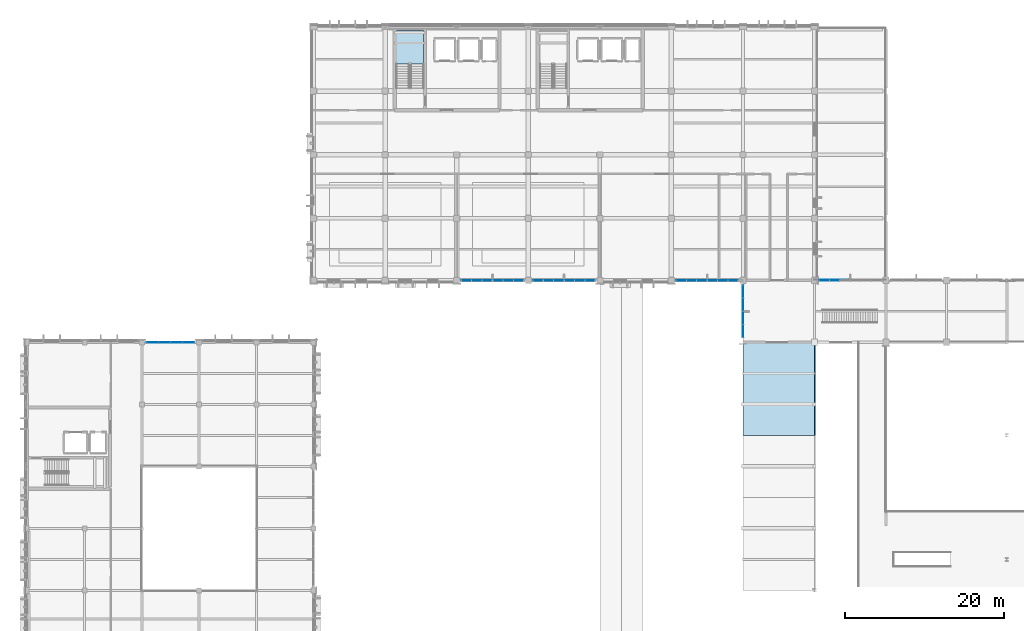
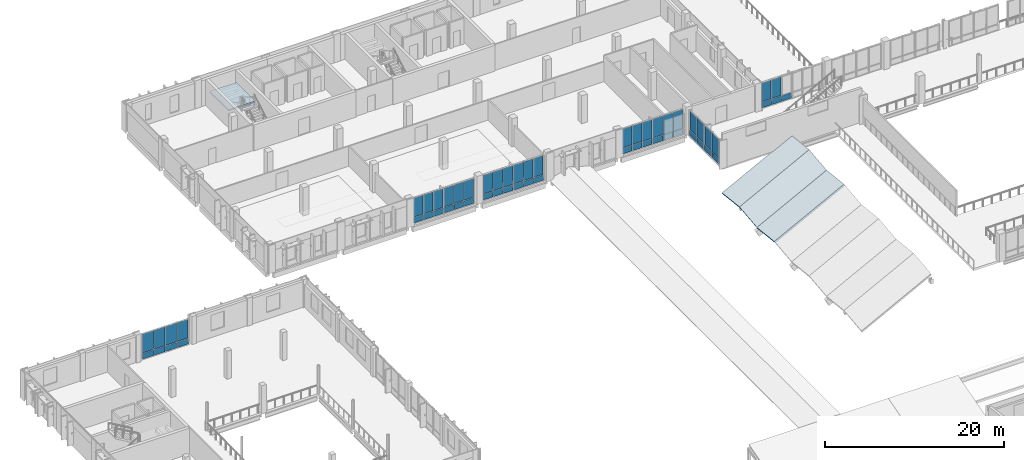
# One storey, part 31 of 64: 57 plates, 4 slabs, 11 elements without a shape of their own.
"""IFC4 building model written with IfcOpenShell, lengths in metres."""

import ifcopenshell
import ifcopenshell.guid

model = None  # the IFC model being written
_history = None  # IfcOwnerHistory: only IFC2X3 demands one
_inside = {}  # id of a spatial element -> (the spatial element, [elements in it])
_under = {}  # id of a project, library or spatial element -> (it, [spatial elements below it])
_declared = {}  # id of a project -> (the project, [libraries it declares])
_typed = {}  # id of a type object -> (the type object, [elements of that type])
_made_of = {}  # id of a material, layer set ... -> (it, [elements and type objects made of it])


def new_model(schema):
    """Start an empty IFC model of exactly this schema.

    Asked for "IFC4X3", IfcOpenShell would pick the latest addendum, in which some entities
    have other attributes; the version numbers below select the first issue.
    IFC2X3 requires an IfcOwnerHistory on every rooted entity: one is made here for all.
    """
    global model, _history
    if schema == "IFC4X3":
        model = ifcopenshell.file(schema_version=(4, 3, 0, 0))
    else:
        model = ifcopenshell.file(schema=schema)
    _inside.clear()
    _under.clear()
    _declared.clear()
    _typed.clear()
    _made_of.clear()
    _history = None
    if model.schema == "IFC2X3":
        org = make("IfcOrganization", Name="unknown")
        user = make(
            "IfcPersonAndOrganization",
            ThePerson=make("IfcPerson", FamilyName="unknown"),
            TheOrganization=org,
        )
        app = make(
            "IfcApplication",
            ApplicationDeveloper=org,
            Version="unknown",
            ApplicationFullName="unknown",
            ApplicationIdentifier="unknown",
        )
        _history = make(
            "IfcOwnerHistory",
            OwningUser=user,
            OwningApplication=app,
            ChangeAction="ADDED",
            CreationDate=0,
        )
    return model


def make(cls, **values):
    """One entity of the class cls with the attributes given. An attribute that is None is left unset."""
    return model.create_entity(
        cls, **{name: value for name, value in values.items() if value is not None}
    )


def rooted(cls, **values):
    """An entity with a GlobalId (a new one), such as an element, a storey or a relation."""
    return make(cls, GlobalId=ifcopenshell.guid.new(), OwnerHistory=_history, **values)


def si_unit(unit_type, name, prefix=None):
    """IfcSIUnit, for example si_unit("LENGTHUNIT", "METRE", prefix="MILLI")."""
    return make("IfcSIUnit", UnitType=unit_type, Prefix=prefix, Name=name)


def assignment(units):
    """IfcUnitAssignment: the units of a project."""
    return None if units is None else make("IfcUnitAssignment", Units=units)


def point(xyz):
    """IfcCartesianPoint."""
    return None if xyz is None else make("IfcCartesianPoint", Coordinates=xyz)


def direction(xyz):
    """IfcDirection."""
    return None if xyz is None else make("IfcDirection", DirectionRatios=xyz)


def frame(location, z_axis=None, x_axis=None):
    """IfcAxis2Placement3D, a coordinate frame: its origin and axes. An axis left out is left unset."""
    return make(
        "IfcAxis2Placement3D",
        Location=point(location),
        Axis=direction(z_axis),
        RefDirection=direction(x_axis),
    )


def frame_2d(location, x_axis=None):
    """IfcAxis2Placement2D, a coordinate frame in the plane: its origin and x axis."""
    return make(
        "IfcAxis2Placement2D", Location=point(location), RefDirection=direction(x_axis)
    )


def origin():
    """The frame at (0, 0, 0) with its axes left unset."""
    return frame((0.0, 0.0, 0.0))


def origin_2d():
    """The frame at (0, 0) in the plane with its x axis left unset."""
    return frame_2d((0.0, 0.0))


def place(relative_to, where):
    """IfcLocalPlacement: puts the frame where relative to a parent placement (None: the world)."""
    return make(
        "IfcLocalPlacement", PlacementRelTo=relative_to, RelativePlacement=where
    )


def context(
    kind, dimensions, precision=None, world=None, true_north=None, identifier=None
):
    """IfcGeometricRepresentationContext, for example the 3D "Model" context."""
    return make(
        "IfcGeometricRepresentationContext",
        ContextIdentifier=identifier,
        ContextType=kind,
        CoordinateSpaceDimension=dimensions,
        Precision=precision,
        WorldCoordinateSystem=world,
        TrueNorth=true_north,
    )


def subcontext(parent, identifier, kind, view, scale=None):
    """IfcGeometricRepresentationSubContext, for example "Body" below "Model"."""
    return make(
        "IfcGeometricRepresentationSubContext",
        ContextIdentifier=identifier,
        ContextType=kind,
        ParentContext=parent,
        TargetScale=scale,
        TargetView=view,
    )


def project(units=None, contexts=None):
    """IfcProject with its units and contexts."""
    return rooted(
        "IfcProject",
        Name="project",
        RepresentationContexts=contexts,
        UnitsInContext=assignment(units),
    )


def spatial(cls, under=None, at=None, **own):
    """A site, building, storey or space (cls), placed at a placement, below another one or the project."""
    s = rooted(cls, ObjectPlacement=at, **own)
    if under is not None:
        _under.setdefault(under.id(), (under, []))[1].append(s)
    return s


def polyline(points):
    """IfcPolyline through the points."""
    return make("IfcPolyline", Points=[point(p) for p in points])


def profile(cls, at=None, kind="AREA", **sizes):
    """A parametric profile (cls). Its sizes go by their IFC names, for example OverallWidth=200.0."""
    return make(cls, ProfileType=kind, Position=at, **sizes)


def rectangle(**sizes):
    """IfcRectangleProfileDef."""
    return profile("IfcRectangleProfileDef", **sizes)


def outline(outer, holes=None, kind="AREA"):
    """IfcArbitraryClosedProfileDef: a profile drawn as a closed curve; with holes, ...WithVoids."""
    if holes is None:
        return make("IfcArbitraryClosedProfileDef", ProfileType=kind, OuterCurve=outer)
    return make(
        "IfcArbitraryProfileDefWithVoids",
        ProfileType=kind,
        OuterCurve=outer,
        InnerCurves=holes,
    )


def extrude(swept, where, along, depth):
    """IfcExtrudedAreaSolid: the profile swept, set in the frame where, extruded along a direction by depth."""
    return make(
        "IfcExtrudedAreaSolid",
        SweptArea=swept,
        Position=where,
        ExtrudedDirection=direction(along),
        Depth=depth,
    )


def shape(context_of_items, identifier, shape_type, items):
    """IfcShapeRepresentation: the items that make up one representation, for example the "Body"."""
    return make(
        "IfcShapeRepresentation",
        ContextOfItems=context_of_items,
        RepresentationIdentifier=identifier,
        RepresentationType=shape_type,
        Items=items,
    )


def material(Name=None, Category=None):
    """IfcMaterial."""
    return make("IfcMaterial", Name=Name, Category=Category)


def layer(
    of_material, thickness, ventilated=None, Name=None, Category=None, Priority=None
):
    """IfcMaterialLayer: one layer of a wall or slab, of a material (None: an air gap)."""
    return make(
        "IfcMaterialLayer",
        Material=of_material,
        LayerThickness=thickness,
        IsVentilated=ventilated,
        Name=Name,
        Category=Category,
        Priority=Priority,
    )


def layer_set(layers, Name=None):
    """IfcMaterialLayerSet."""
    return make("IfcMaterialLayerSet", MaterialLayers=layers, LayerSetName=Name)


def made_of(thing, what):
    """Note that an element or type object is made of a material, layer set ...; save() writes the relation."""
    if what is not None:
        _made_of.setdefault(what.id(), (what, []))[1].append(thing)
    return thing


def type_object(cls, material=None, **own):
    """A type object (cls), such as IfcWallType, which elements share."""
    return made_of(rooted(cls, **own), material)


def element(
    cls,
    number,
    at=None,
    inside=None,
    cuts=None,
    type_object=None,
    material=None,
    context=None,
    identifier="Body",
    shape_type=None,
    held_by="IfcProductDefinitionShape",
    body=None,
    shapes=None,
    **own,
):
    """One element of the class cls, such as IfcWall. Its Tag is "e" and its number.

    at: its placement. inside: the storey or other place that contains it. cuts: it is an
    opening in that element (IfcRelVoidsElement). A single representation is given by context,
    identifier, shape_type and body (its items); several are given by shapes. held_by: the class
    of the entity that holds the representations. save() writes the other relations.
    """
    e = rooted(cls, Tag="e%d" % number, ObjectPlacement=at, **own)
    if body is not None:
        shapes = [shape(context, identifier, shape_type, body)]
    if shapes is not None:
        e.Representation = make(held_by, Representations=shapes)
    if inside is not None:
        _inside.setdefault(inside.id(), (inside, []))[1].append(e)
    if cuts is not None:
        rooted(
            "IfcRelVoidsElement", RelatingBuildingElement=cuts, RelatedOpeningElement=e
        )
    if type_object is not None:
        _typed.setdefault(type_object.id(), (type_object, []))[1].append(e)
    return made_of(e, material)


def aggregate(whole, parts):
    """IfcRelAggregates: a whole, such as a stair, and the parts it consists of."""
    return rooted("IfcRelAggregates", RelatingObject=whole, RelatedObjects=parts)


def save(model, path):
    """Write the relations noted so far, then the file.

    IfcRelAggregates (storeys below a building ...), IfcRelContainedInSpatialStructure (elements
    in a storey), IfcRelDefinesByType, IfcRelAssociatesMaterial and IfcRelDeclares: one each for
    every whole, place, type object, material and project.
    """
    for whole, parts in _under.values():
        aggregate(whole, parts)
    for where, things in _inside.values():
        rooted(
            "IfcRelContainedInSpatialStructure",
            RelatedElements=things,
            RelatingStructure=where,
        )
    for kind, things in _typed.values():
        rooted("IfcRelDefinesByType", RelatedObjects=things, RelatingType=kind)
    for what, things in _made_of.values():
        rooted("IfcRelAssociatesMaterial", RelatedObjects=things, RelatingMaterial=what)
    for by, libraries in _declared.values():
        rooted("IfcRelDeclares", RelatingContext=by, RelatedDefinitions=libraries)
    model.write(path)


model = new_model("IFC4")

# Units and contexts
model_context = context("Model", 3, precision=1e-05, world=origin(), true_north=direction((0.0, 1.0)))
body_context = subcontext(model_context, "Body", "Model", "MODEL_VIEW")
ifc_project = project(units=[si_unit("LENGTHUNIT", "METRE"), si_unit("AREAUNIT", "SQUARE_METRE"), si_unit("VOLUMEUNIT", "CUBIC_METRE"), si_unit("PLANEANGLEUNIT", "RADIAN"), si_unit("MASSUNIT", "GRAM", prefix="KILO")], contexts=[model_context])

# Site, building, storey
site_placement = place(None, origin())
site = spatial("IfcSite", under=ifc_project, at=site_placement, CompositionType="ELEMENT")
building_placement = place(site_placement, origin())
building = spatial("IfcBuilding", under=site, at=building_placement, Name="Vervanel Yard Central Library", CompositionType="ELEMENT")
storey_placement = place(building_placement, frame((0.0, 0.0, 8.93994140625)))
storey = spatial("IfcBuildingStorey", under=building, at=storey_placement, Name="L02", CompositionType="ELEMENT", Elevation=8.93994140625)

# Stair, slab
ifc_material_1 = material(Name="Concrete C40/50", Category="concrete")
stair_type = type_object("IfcStairType", Name="Protected Core Dog-Leg Stair ST-01", PredefinedType="HALF_TURN_STAIR", material=ifc_material_1)
stair_placement = place(storey_placement, origin())
stair = element("IfcStair", 1, at=stair_placement, inside=storey, type_object=stair_type, Name="L02 CORE-A Protected Exit Stair", PredefinedType="HALF_TURN_STAIR")
ifc_layer_1 = layer(ifc_material_1, 0.199951171875, Category="concrete")
ifc_layer_set_1 = layer_set([ifc_layer_1], Name="Concrete C40/50")
slab_type_1 = type_object("IfcSlabType", Name="Core Stair Concrete Landing Slab 200", PredefinedType="LANDING", material=ifc_layer_set_1)
slab_1_placement = place(storey_placement, frame((0.0, 0.0, 1.719970703125)))
slab_1 = element("IfcSlab", 2, at=slab_1_placement, type_object=slab_type_1, Name="ST-01 landing 1", PredefinedType="LANDING", context=body_context, shape_type="SweptSolid", body=[
    extrude(outline(polyline([(49.85009765625, 109.39990234375), (49.85009765625, 113.60009765625), (46.389892578125, 113.60009765625), (46.389892578125, 109.39990234375), (49.85009765625, 109.39990234375)])), origin(), (0.0, 0.0, 1.0), 0.2001953125),
])
aggregate(stair, [slab_1])

# Curtain wall, plates
ifc_material_2 = material(Name="Thermally broken anodized aluminium 6063-T6", Category="aluminium")
curtain_wall_type_1 = type_object("IfcCurtainWallType", Name="Atrium Courtyard Curtain Wall", PredefinedType="NOTDEFINED", material=ifc_material_2)
curtain_wall_1_placement = place(storey_placement, origin())
curtain_wall_1 = element("IfcCurtainWall", 3, at=curtain_wall_1_placement, inside=storey, type_object=curtain_wall_type_1, Name="L02 Atrium Courtyard Curtain Wall CWR-L02-007", PredefinedType="NOTDEFINED")
ifc_material_3 = material(Name="Double low-E laminated solar-control glass", Category="glass")
ifc_layer_2 = layer(ifc_material_3, 0.030029296875, Category="glass")
ifc_layer_set_2 = layer_set([ifc_layer_2], Name="Double low-E laminated solar-control glass")
plate_type_1 = type_object("IfcPlateType", Name="Courtyard Clear Low-E Panel 30", PredefinedType="CURTAIN_PANEL", material=ifc_layer_set_2)
plate_1_placement = place(storey_placement, frame((55.23828125, 82.199951171875, 0.882568359375), z_axis=(0.0, 0.0, 1.0), x_axis=(1.0, 0.0, 0.0)))
plate_1 = element("IfcPlate", 4, at=plate_1_placement, type_object=plate_type_1, Name="CWR-L02-007 Panel B1-2", PredefinedType="CURTAIN_PANEL", context=body_context, shape_type="SweptSolid", body=[
    extrude(rectangle(XDim=1.2265625, YDim=0.030029296875, at=origin_2d()), origin(), (0.0, 0.0, 1.0), 2.5625),
])
plate_2_placement = place(storey_placement, frame((56.530029296875, 82.199951171875, 0.882568359375), z_axis=(0.0, 0.0, 1.0), x_axis=(1.0, 0.0, 0.0)))
plate_2 = element("IfcPlate", 5, at=plate_2_placement, type_object=plate_type_1, Name="CWR-L02-007 Panel B2-2", PredefinedType="CURTAIN_PANEL", context=body_context, shape_type="SweptSolid", body=[
    extrude(rectangle(XDim=1.2265625, YDim=0.030029296875, at=origin_2d()), origin(), (0.0, 0.0, 1.0), 2.5625),
])
plate_3_placement = place(storey_placement, frame((57.82177734375, 82.199951171875, 0.882568359375), z_axis=(0.0, 0.0, 1.0), x_axis=(1.0, 0.0, 0.0)))
plate_3 = element("IfcPlate", 6, at=plate_3_placement, type_object=plate_type_1, Name="CWR-L02-007 Panel B3-2", PredefinedType="CURTAIN_PANEL", context=body_context, shape_type="SweptSolid", body=[
    extrude(rectangle(XDim=1.2265625, YDim=0.030029296875, at=origin_2d()), origin(), (0.0, 0.0, 1.0), 2.5625),
])

curtain_wall_2_placement = place(storey_placement, origin())
curtain_wall_2 = element("IfcCurtainWall", 7, at=curtain_wall_2_placement, inside=storey, type_object=curtain_wall_type_1, Name="L02 Atrium Courtyard Curtain Wall CWR-L02-008", PredefinedType="NOTDEFINED")
plate_4_placement = place(storey_placement, frame((59.17822265625, 82.199951171875, 0.882568359375), z_axis=(0.0, 0.0, 1.0), x_axis=(1.0, 0.0, 0.0)))
plate_4 = element("IfcPlate", 8, at=plate_4_placement, type_object=plate_type_1, Name="CWR-L02-008 Panel B1-2", PredefinedType="CURTAIN_PANEL", context=body_context, shape_type="SweptSolid", body=[
    extrude(rectangle(XDim=1.2265625, YDim=0.030029296875, at=origin_2d()), origin(), (0.0, 0.0, 1.0), 2.5625),
])
plate_5_placement = place(storey_placement, frame((60.469970703125, 82.199951171875, 0.882568359375), z_axis=(0.0, 0.0, 1.0), x_axis=(1.0, 0.0, 0.0)))
plate_5 = element("IfcPlate", 9, at=plate_5_placement, type_object=plate_type_1, Name="CWR-L02-008 Panel B2-2", PredefinedType="CURTAIN_PANEL", context=body_context, shape_type="SweptSolid", body=[
    extrude(rectangle(XDim=1.2265625, YDim=0.030029296875, at=origin_2d()), origin(), (0.0, 0.0, 1.0), 2.5625),
])
plate_6_placement = place(storey_placement, frame((61.76171875, 82.199951171875, 0.882568359375), z_axis=(0.0, 0.0, 1.0), x_axis=(1.0, 0.0, 0.0)))
plate_6 = element("IfcPlate", 10, at=plate_6_placement, type_object=plate_type_1, Name="CWR-L02-008 Panel B3-2", PredefinedType="CURTAIN_PANEL", context=body_context, shape_type="SweptSolid", body=[
    extrude(rectangle(XDim=1.2265625, YDim=0.030029296875, at=origin_2d()), origin(), (0.0, 0.0, 1.0), 2.5625),
])

curtain_wall_3_placement = place(storey_placement, origin())
curtain_wall_3 = element("IfcCurtainWall", 11, at=curtain_wall_3_placement, inside=storey, type_object=curtain_wall_type_1, Name="L02 Atrium Courtyard Curtain Wall CWR-L02-009", PredefinedType="NOTDEFINED")
plate_7_placement = place(storey_placement, frame((64.23828125, 82.199951171875, 0.882568359375), z_axis=(0.0, 0.0, 1.0), x_axis=(1.0, 0.0, 0.0)))
plate_7 = element("IfcPlate", 12, at=plate_7_placement, type_object=plate_type_1, Name="CWR-L02-009 Panel B1-2", PredefinedType="CURTAIN_PANEL", context=body_context, shape_type="SweptSolid", body=[
    extrude(rectangle(XDim=1.2265625, YDim=0.030029296875, at=origin_2d()), origin(), (0.0, 0.0, 1.0), 2.5625),
])
plate_8_placement = place(storey_placement, frame((65.530029296875, 82.199951171875, 0.882568359375), z_axis=(0.0, 0.0, 1.0), x_axis=(1.0, 0.0, 0.0)))
plate_8 = element("IfcPlate", 13, at=plate_8_placement, type_object=plate_type_1, Name="CWR-L02-009 Panel B2-2", PredefinedType="CURTAIN_PANEL", context=body_context, shape_type="SweptSolid", body=[
    extrude(rectangle(XDim=1.2265625, YDim=0.030029296875, at=origin_2d()), origin(), (0.0, 0.0, 1.0), 2.5625),
])
plate_9_placement = place(storey_placement, frame((66.82177734375, 82.199951171875, 0.882568359375), z_axis=(0.0, 0.0, 1.0), x_axis=(1.0, 0.0, 0.0)))
plate_9 = element("IfcPlate", 14, at=plate_9_placement, type_object=plate_type_1, Name="CWR-L02-009 Panel B3-2", PredefinedType="CURTAIN_PANEL", context=body_context, shape_type="SweptSolid", body=[
    extrude(rectangle(XDim=1.2265625, YDim=0.030029296875, at=origin_2d()), origin(), (0.0, 0.0, 1.0), 2.5625),
])

curtain_wall_4_placement = place(storey_placement, origin())
curtain_wall_4 = element("IfcCurtainWall", 15, at=curtain_wall_4_placement, inside=storey, type_object=curtain_wall_type_1, Name="L02 Atrium Courtyard Curtain Wall CWR-L02-010", PredefinedType="NOTDEFINED")
plate_10_placement = place(storey_placement, frame((68.17822265625, 82.199951171875, 0.882568359375), z_axis=(0.0, 0.0, 1.0), x_axis=(1.0, 0.0, 0.0)))
plate_10 = element("IfcPlate", 16, at=plate_10_placement, type_object=plate_type_1, Name="CWR-L02-010 Panel B1-2", PredefinedType="CURTAIN_PANEL", context=body_context, shape_type="SweptSolid", body=[
    extrude(rectangle(XDim=1.2265625, YDim=0.030029296875, at=origin_2d()), origin(), (0.0, 0.0, 1.0), 2.5625),
])
plate_11_placement = place(storey_placement, frame((69.469970703125, 82.199951171875, 0.882568359375), z_axis=(0.0, 0.0, 1.0), x_axis=(1.0, 0.0, 0.0)))
plate_11 = element("IfcPlate", 17, at=plate_11_placement, type_object=plate_type_1, Name="CWR-L02-010 Panel B2-2", PredefinedType="CURTAIN_PANEL", context=body_context, shape_type="SweptSolid", body=[
    extrude(rectangle(XDim=1.2265625, YDim=0.030029296875, at=origin_2d()), origin(), (0.0, 0.0, 1.0), 2.5625),
])
plate_12_placement = place(storey_placement, frame((70.76171875, 82.199951171875, 0.882568359375), z_axis=(0.0, 0.0, 1.0), x_axis=(1.0, 0.0, 0.0)))
plate_12 = element("IfcPlate", 18, at=plate_12_placement, type_object=plate_type_1, Name="CWR-L02-010 Panel B3-2", PredefinedType="CURTAIN_PANEL", context=body_context, shape_type="SweptSolid", body=[
    extrude(rectangle(XDim=1.2265625, YDim=0.030029296875, at=origin_2d()), origin(), (0.0, 0.0, 1.0), 2.5625),
])

curtain_wall_5_placement = place(storey_placement, origin())
curtain_wall_5 = element("IfcCurtainWall", 19, at=curtain_wall_5_placement, inside=storey, type_object=curtain_wall_type_1, Name="L02 Atrium Courtyard Curtain Wall CWR-L02-011", PredefinedType="NOTDEFINED")
plate_13_placement = place(storey_placement, frame((82.23828125, 82.199951171875, 0.882568359375), z_axis=(0.0, 0.0, 1.0), x_axis=(1.0, 0.0, 0.0)))
plate_13 = element("IfcPlate", 20, at=plate_13_placement, type_object=plate_type_1, Name="CWR-L02-011 Panel B1-2", PredefinedType="CURTAIN_PANEL", context=body_context, shape_type="SweptSolid", body=[
    extrude(rectangle(XDim=1.2265625, YDim=0.030029296875, at=origin_2d()), origin(), (0.0, 0.0, 1.0), 2.5625),
])
plate_14_placement = place(storey_placement, frame((83.530029296875, 82.199951171875, 0.882568359375), z_axis=(0.0, 0.0, 1.0), x_axis=(1.0, 0.0, 0.0)))
plate_14 = element("IfcPlate", 21, at=plate_14_placement, type_object=plate_type_1, Name="CWR-L02-011 Panel B2-2", PredefinedType="CURTAIN_PANEL", context=body_context, shape_type="SweptSolid", body=[
    extrude(rectangle(XDim=1.2265625, YDim=0.030029296875, at=origin_2d()), origin(), (0.0, 0.0, 1.0), 2.5625),
])
plate_15_placement = place(storey_placement, frame((84.82177734375, 82.199951171875, 0.882568359375), z_axis=(0.0, 0.0, 1.0), x_axis=(1.0, 0.0, 0.0)))
plate_15 = element("IfcPlate", 22, at=plate_15_placement, type_object=plate_type_1, Name="CWR-L02-011 Panel B3-2", PredefinedType="CURTAIN_PANEL", context=body_context, shape_type="SweptSolid", body=[
    extrude(rectangle(XDim=1.2265625, YDim=0.030029296875, at=origin_2d()), origin(), (0.0, 0.0, 1.0), 2.5625),
])

curtain_wall_6_placement = place(storey_placement, origin())
curtain_wall_6 = element("IfcCurtainWall", 23, at=curtain_wall_6_placement, inside=storey, type_object=curtain_wall_type_1, Name="L02 Atrium Courtyard Curtain Wall CWR-L02-012", PredefinedType="NOTDEFINED")
plate_16_placement = place(storey_placement, frame((86.17822265625, 82.199951171875, 0.882568359375), z_axis=(0.0, 0.0, 1.0), x_axis=(1.0, 0.0, 0.0)))
plate_16 = element("IfcPlate", 24, at=plate_16_placement, type_object=plate_type_1, Name="CWR-L02-012 Panel B1-2", PredefinedType="CURTAIN_PANEL", context=body_context, shape_type="SweptSolid", body=[
    extrude(rectangle(XDim=1.2265625, YDim=0.030029296875, at=origin_2d()), origin(), (0.0, 0.0, 1.0), 2.5625),
])
plate_17_placement = place(storey_placement, frame((87.469970703125, 82.199951171875, 0.882568359375), z_axis=(0.0, 0.0, 1.0), x_axis=(1.0, 0.0, 0.0)))
plate_17 = element("IfcPlate", 25, at=plate_17_placement, type_object=plate_type_1, Name="CWR-L02-012 Panel B2-2", PredefinedType="CURTAIN_PANEL", context=body_context, shape_type="SweptSolid", body=[
    extrude(rectangle(XDim=1.2265625, YDim=0.030029296875, at=origin_2d()), origin(), (0.0, 0.0, 1.0), 2.5625),
])
plate_18_placement = place(storey_placement, frame((88.76171875, 82.199951171875, 0.882568359375), z_axis=(0.0, 0.0, 1.0), x_axis=(1.0, 0.0, 0.0)))
plate_18 = element("IfcPlate", 26, at=plate_18_placement, type_object=plate_type_1, Name="CWR-L02-012 Panel B3-2", PredefinedType="CURTAIN_PANEL", context=body_context, shape_type="SweptSolid", body=[
    extrude(rectangle(XDim=1.2265625, YDim=0.030029296875, at=origin_2d()), origin(), (0.0, 0.0, 1.0), 2.5625),
])

curtain_wall_type_2 = type_object("IfcCurtainWallType", Name="Reading Hall Full-Height Curtain Wall", PredefinedType="NOTDEFINED", material=ifc_material_2)
curtain_wall_7_placement = place(storey_placement, origin())
curtain_wall_7 = element("IfcCurtainWall", 27, at=curtain_wall_7_placement, inside=storey, type_object=curtain_wall_type_2, Name="L02 Reading Hall Full-Height Curtain Wall CWR-L02-052", PredefinedType="NOTDEFINED")
plate_19_placement = place(storey_placement, frame((90.0, 75.8125, 0.88525390625), z_axis=(0.0, 0.0, 1.0), x_axis=(0.0, 1.0, 0.0)))
plate_19 = element("IfcPlate", 28, at=plate_19_placement, type_object=plate_type_1, Name="CWR-L02-052 Panel B1-2", PredefinedType="CURTAIN_PANEL", context=body_context, shape_type="SweptSolid", body=[
    extrude(rectangle(XDim=1.56494140625, YDim=0.030029296875, at=origin_2d()), origin(), (0.0, 0.0, 1.0), 2.554931640625),
])
plate_20_placement = place(storey_placement, frame((90.0, 77.447509765625, 0.88525390625), z_axis=(0.0, 0.0, 1.0), x_axis=(0.0, 1.0, 0.0)))
plate_20 = element("IfcPlate", 29, at=plate_20_placement, type_object=plate_type_1, Name="CWR-L02-052 Panel B2-2", PredefinedType="CURTAIN_PANEL", context=body_context, shape_type="SweptSolid", body=[
    extrude(rectangle(XDim=1.56494140625, YDim=0.030029296875, at=origin_2d()), origin(), (0.0, 0.0, 1.0), 2.554931640625),
])

curtain_wall_8_placement = place(storey_placement, origin())
curtain_wall_8 = element("IfcCurtainWall", 30, at=curtain_wall_8_placement, inside=storey, type_object=curtain_wall_type_2, Name="L02 Reading Hall Full-Height Curtain Wall CWR-L02-053", PredefinedType="NOTDEFINED")
plate_21_placement = place(storey_placement, frame((90.0, 79.152587890625, 0.88525390625), z_axis=(0.0, 0.0, 1.0), x_axis=(0.0, 1.0, 0.0)))
plate_21 = element("IfcPlate", 31, at=plate_21_placement, type_object=plate_type_1, Name="CWR-L02-053 Panel B1-2", PredefinedType="CURTAIN_PANEL", context=body_context, shape_type="SweptSolid", body=[
    extrude(rectangle(XDim=1.56494140625, YDim=0.030029296875, at=origin_2d()), origin(), (0.0, 0.0, 1.0), 2.554931640625),
])
plate_22_placement = place(storey_placement, frame((90.0, 80.78759765625, 0.88525390625), z_axis=(0.0, 0.0, 1.0), x_axis=(0.0, 1.0, 0.0)))
plate_22 = element("IfcPlate", 32, at=plate_22_placement, type_object=plate_type_1, Name="CWR-L02-053 Panel B2-2", PredefinedType="CURTAIN_PANEL", context=body_context, shape_type="SweptSolid", body=[
    extrude(rectangle(XDim=1.56494140625, YDim=0.030029296875, at=origin_2d()), origin(), (0.0, 0.0, 1.0), 2.554931640625),
])

# Slabs
ifc_material_4 = material(Name="Concrete C45/55", Category="concrete")
ifc_layer_3 = layer(ifc_material_4, 0.219970703125, Category="concrete")
ifc_layer_set_3 = layer_set([ifc_layer_3], Name="Concrete C45/55")
slab_type_2 = type_object("IfcSlabType", Name="Folded Shell Roof Typical Plate 220", PredefinedType="ROOF", material=ifc_layer_set_3)
slab_2_placement = place(storey_placement, frame((90.0, 62.699951171875, -3.052490234375), z_axis=(-0.458701274363, 0.099056605972, 0.883052053795), x_axis=(0.887416545796, 0.0, 0.460968409165)))
element("IfcSlab", 33, at=slab_2_placement, inside=storey, type_object=slab_type_2, Name="L02 V3 Folded Shell Roof Typical Plate 220 V3-FLK-B1-S06", PredefinedType="ROOF", context=body_context, shape_type="SweptSolid", body=[
    extrude(outline(polyline([(0.0, 0.0), (10.14179873323036, 5.551115123125783e-17), (9.940125054220838, 3.919422990285361), (-0.2016736790095231, 3.919422990285361), (0.0, 0.0)])), origin(), (0.0, 0.0, -1.0), 0.219970703125),
])
slab_3_placement = place(storey_placement, frame((90.0, 66.60009765625, -3.489990234375), z_axis=(-0.458700992592, -0.099062746234, 0.883051511354), x_axis=(0.887416545796, 0.0, 0.460968409165)))
element("IfcSlab", 34, at=slab_3_placement, inside=storey, type_object=slab_type_2, Name="L02 V3 Folded Shell Roof Typical Plate 220 V3-FLK-B1-S07", PredefinedType="ROOF", context=body_context, shape_type="SweptSolid", body=[
    extrude(outline(polyline([(0.0, 0.0), (10.14179873323036, 0.0), (10.343472412239883, 3.9191800504673817), (0.2016736790095231, 3.9191800504673817), (0.0, 0.0)])), origin(), (0.0, 0.0, -1.0), 0.219970703125),
])
slab_4_placement = place(storey_placement, frame((90.0, 70.5, -3.052490234375), z_axis=(-0.458700992592, 0.099062746234, 0.883051511354), x_axis=(0.887416545796, 0.0, 0.460968409165)))
element("IfcSlab", 35, at=slab_4_placement, inside=storey, type_object=slab_type_2, Name="L02 V3 Folded Shell Roof Typical Plate 220 V3-FLK-B1-S08", PredefinedType="ROOF", context=body_context, shape_type="SweptSolid", body=[
    extrude(outline(polyline([(0.0, 0.0), (10.14179873323036, 0.0), (9.940125054220838, 3.919180050467382), (-0.2016736790095231, 3.9191800504673817), (0.0, 0.0)])), origin(), (0.0, 0.0, -1.0), 0.219970703125),
])

# Plate
ifc_material_5 = material(Name="Insulated bronze aluminium spandrel panel", Category="aluminium")
ifc_layer_4 = layer(ifc_material_5, 0.080078125, Category="aluminium")
ifc_layer_set_4 = layer_set([ifc_layer_4], Name="Insulated bronze aluminium spandrel panel")
plate_type_2 = type_object("IfcPlateType", Name="Insulated Bronze Spandrel Panel 80", PredefinedType="CURTAIN_PANEL", material=ifc_layer_set_4)
plate_23_placement = place(storey_placement, frame((55.23828125, 82.199951171875, 0.065185546875), z_axis=(0.0, 0.0, 1.0), x_axis=(1.0, 0.0, 0.0)))
plate_23 = element("IfcPlate", 36, at=plate_23_placement, type_object=plate_type_2, Name="CWR-L02-007 Panel B1-1", PredefinedType="CURTAIN_PANEL", context=body_context, shape_type="SweptSolid", body=[
    extrude(rectangle(XDim=1.2265625, YDim=0.080078125, at=origin_2d()), origin(), (0.0, 0.0, 1.0), 0.75244140625),
])

plate_24_placement = place(storey_placement, frame((56.530029296875, 82.199951171875, 0.065185546875), z_axis=(0.0, 0.0, 1.0), x_axis=(1.0, 0.0, 0.0)))
plate_24 = element("IfcPlate", 37, at=plate_24_placement, type_object=plate_type_2, Name="CWR-L02-007 Panel B2-1", PredefinedType="CURTAIN_PANEL", context=body_context, shape_type="SweptSolid", body=[
    extrude(rectangle(XDim=1.2265625, YDim=0.080078125, at=origin_2d()), origin(), (0.0, 0.0, 1.0), 0.75244140625),
])

plate_25_placement = place(storey_placement, frame((57.82177734375, 82.199951171875, 0.065185546875), z_axis=(0.0, 0.0, 1.0), x_axis=(1.0, 0.0, 0.0)))
plate_25 = element("IfcPlate", 38, at=plate_25_placement, type_object=plate_type_2, Name="CWR-L02-007 Panel B3-1", PredefinedType="CURTAIN_PANEL", context=body_context, shape_type="SweptSolid", body=[
    extrude(rectangle(XDim=1.2265625, YDim=0.080078125, at=origin_2d()), origin(), (0.0, 0.0, 1.0), 0.75244140625),
])

aggregate(curtain_wall_1, [plate_23, plate_1, plate_24, plate_2, plate_25, plate_3])

plate_26_placement = place(storey_placement, frame((59.17822265625, 82.199951171875, 0.065185546875), z_axis=(0.0, 0.0, 1.0), x_axis=(1.0, 0.0, 0.0)))
plate_26 = element("IfcPlate", 39, at=plate_26_placement, type_object=plate_type_2, Name="CWR-L02-008 Panel B1-1", PredefinedType="CURTAIN_PANEL", context=body_context, shape_type="SweptSolid", body=[
    extrude(rectangle(XDim=1.2265625, YDim=0.080078125, at=origin_2d()), origin(), (0.0, 0.0, 1.0), 0.75244140625),
])

plate_27_placement = place(storey_placement, frame((60.469970703125, 82.199951171875, 0.065185546875), z_axis=(0.0, 0.0, 1.0), x_axis=(1.0, 0.0, 0.0)))
plate_27 = element("IfcPlate", 40, at=plate_27_placement, type_object=plate_type_2, Name="CWR-L02-008 Panel B2-1", PredefinedType="CURTAIN_PANEL", context=body_context, shape_type="SweptSolid", body=[
    extrude(rectangle(XDim=1.2265625, YDim=0.080078125, at=origin_2d()), origin(), (0.0, 0.0, 1.0), 0.75244140625),
])

plate_28_placement = place(storey_placement, frame((61.76171875, 82.199951171875, 0.065185546875), z_axis=(0.0, 0.0, 1.0), x_axis=(1.0, 0.0, 0.0)))
plate_28 = element("IfcPlate", 41, at=plate_28_placement, type_object=plate_type_2, Name="CWR-L02-008 Panel B3-1", PredefinedType="CURTAIN_PANEL", context=body_context, shape_type="SweptSolid", body=[
    extrude(rectangle(XDim=1.2265625, YDim=0.080078125, at=origin_2d()), origin(), (0.0, 0.0, 1.0), 0.75244140625),
])

aggregate(curtain_wall_2, [plate_26, plate_4, plate_27, plate_5, plate_28, plate_6])

plate_29_placement = place(storey_placement, frame((64.23828125, 82.199951171875, 0.065185546875), z_axis=(0.0, 0.0, 1.0), x_axis=(1.0, 0.0, 0.0)))
plate_29 = element("IfcPlate", 42, at=plate_29_placement, type_object=plate_type_2, Name="CWR-L02-009 Panel B1-1", PredefinedType="CURTAIN_PANEL", context=body_context, shape_type="SweptSolid", body=[
    extrude(rectangle(XDim=1.2265625, YDim=0.080078125, at=origin_2d()), origin(), (0.0, 0.0, 1.0), 0.75244140625),
])

plate_30_placement = place(storey_placement, frame((65.530029296875, 82.199951171875, 0.065185546875), z_axis=(0.0, 0.0, 1.0), x_axis=(1.0, 0.0, 0.0)))
plate_30 = element("IfcPlate", 43, at=plate_30_placement, type_object=plate_type_2, Name="CWR-L02-009 Panel B2-1", PredefinedType="CURTAIN_PANEL", context=body_context, shape_type="SweptSolid", body=[
    extrude(rectangle(XDim=1.2265625, YDim=0.080078125, at=origin_2d()), origin(), (0.0, 0.0, 1.0), 0.75244140625),
])

plate_31_placement = place(storey_placement, frame((66.82177734375, 82.199951171875, 0.065185546875), z_axis=(0.0, 0.0, 1.0), x_axis=(1.0, 0.0, 0.0)))
plate_31 = element("IfcPlate", 44, at=plate_31_placement, type_object=plate_type_2, Name="CWR-L02-009 Panel B3-1", PredefinedType="CURTAIN_PANEL", context=body_context, shape_type="SweptSolid", body=[
    extrude(rectangle(XDim=1.2265625, YDim=0.080078125, at=origin_2d()), origin(), (0.0, 0.0, 1.0), 0.75244140625),
])

aggregate(curtain_wall_3, [plate_29, plate_7, plate_30, plate_8, plate_31, plate_9])

plate_32_placement = place(storey_placement, frame((68.17822265625, 82.199951171875, 0.065185546875), z_axis=(0.0, 0.0, 1.0), x_axis=(1.0, 0.0, 0.0)))
plate_32 = element("IfcPlate", 45, at=plate_32_placement, type_object=plate_type_2, Name="CWR-L02-010 Panel B1-1", PredefinedType="CURTAIN_PANEL", context=body_context, shape_type="SweptSolid", body=[
    extrude(rectangle(XDim=1.2265625, YDim=0.080078125, at=origin_2d()), origin(), (0.0, 0.0, 1.0), 0.75244140625),
])

plate_33_placement = place(storey_placement, frame((69.469970703125, 82.199951171875, 0.065185546875), z_axis=(0.0, 0.0, 1.0), x_axis=(1.0, 0.0, 0.0)))
plate_33 = element("IfcPlate", 46, at=plate_33_placement, type_object=plate_type_2, Name="CWR-L02-010 Panel B2-1", PredefinedType="CURTAIN_PANEL", context=body_context, shape_type="SweptSolid", body=[
    extrude(rectangle(XDim=1.2265625, YDim=0.080078125, at=origin_2d()), origin(), (0.0, 0.0, 1.0), 0.75244140625),
])

plate_34_placement = place(storey_placement, frame((70.76171875, 82.199951171875, 0.065185546875), z_axis=(0.0, 0.0, 1.0), x_axis=(1.0, 0.0, 0.0)))
plate_34 = element("IfcPlate", 47, at=plate_34_placement, type_object=plate_type_2, Name="CWR-L02-010 Panel B3-1", PredefinedType="CURTAIN_PANEL", context=body_context, shape_type="SweptSolid", body=[
    extrude(rectangle(XDim=1.2265625, YDim=0.080078125, at=origin_2d()), origin(), (0.0, 0.0, 1.0), 0.75244140625),
])

aggregate(curtain_wall_4, [plate_32, plate_10, plate_33, plate_11, plate_34, plate_12])

plate_35_placement = place(storey_placement, frame((82.23828125, 82.199951171875, 0.065185546875), z_axis=(0.0, 0.0, 1.0), x_axis=(1.0, 0.0, 0.0)))
plate_35 = element("IfcPlate", 48, at=plate_35_placement, type_object=plate_type_2, Name="CWR-L02-011 Panel B1-1", PredefinedType="CURTAIN_PANEL", context=body_context, shape_type="SweptSolid", body=[
    extrude(rectangle(XDim=1.2265625, YDim=0.080078125, at=origin_2d()), origin(), (0.0, 0.0, 1.0), 0.75244140625),
])

plate_36_placement = place(storey_placement, frame((83.530029296875, 82.199951171875, 0.065185546875), z_axis=(0.0, 0.0, 1.0), x_axis=(1.0, 0.0, 0.0)))
plate_36 = element("IfcPlate", 49, at=plate_36_placement, type_object=plate_type_2, Name="CWR-L02-011 Panel B2-1", PredefinedType="CURTAIN_PANEL", context=body_context, shape_type="SweptSolid", body=[
    extrude(rectangle(XDim=1.2265625, YDim=0.080078125, at=origin_2d()), origin(), (0.0, 0.0, 1.0), 0.75244140625),
])

plate_37_placement = place(storey_placement, frame((84.82177734375, 82.199951171875, 0.065185546875), z_axis=(0.0, 0.0, 1.0), x_axis=(1.0, 0.0, 0.0)))
plate_37 = element("IfcPlate", 50, at=plate_37_placement, type_object=plate_type_2, Name="CWR-L02-011 Panel B3-1", PredefinedType="CURTAIN_PANEL", context=body_context, shape_type="SweptSolid", body=[
    extrude(rectangle(XDim=1.2265625, YDim=0.080078125, at=origin_2d()), origin(), (0.0, 0.0, 1.0), 0.75244140625),
])

aggregate(curtain_wall_5, [plate_35, plate_13, plate_36, plate_14, plate_37, plate_15])

plate_38_placement = place(storey_placement, frame((86.17822265625, 82.199951171875, 0.065185546875), z_axis=(0.0, 0.0, 1.0), x_axis=(1.0, 0.0, 0.0)))
plate_38 = element("IfcPlate", 51, at=plate_38_placement, type_object=plate_type_2, Name="CWR-L02-012 Panel B1-1", PredefinedType="CURTAIN_PANEL", context=body_context, shape_type="SweptSolid", body=[
    extrude(rectangle(XDim=1.2265625, YDim=0.080078125, at=origin_2d()), origin(), (0.0, 0.0, 1.0), 0.75244140625),
])

plate_39_placement = place(storey_placement, frame((87.469970703125, 82.199951171875, 0.065185546875), z_axis=(0.0, 0.0, 1.0), x_axis=(1.0, 0.0, 0.0)))
plate_39 = element("IfcPlate", 52, at=plate_39_placement, type_object=plate_type_2, Name="CWR-L02-012 Panel B2-1", PredefinedType="CURTAIN_PANEL", context=body_context, shape_type="SweptSolid", body=[
    extrude(rectangle(XDim=1.2265625, YDim=0.080078125, at=origin_2d()), origin(), (0.0, 0.0, 1.0), 0.75244140625),
])

plate_40_placement = place(storey_placement, frame((88.76171875, 82.199951171875, 0.065185546875), z_axis=(0.0, 0.0, 1.0), x_axis=(1.0, 0.0, 0.0)))
plate_40 = element("IfcPlate", 53, at=plate_40_placement, type_object=plate_type_2, Name="CWR-L02-012 Panel B3-1", PredefinedType="CURTAIN_PANEL", context=body_context, shape_type="SweptSolid", body=[
    extrude(rectangle(XDim=1.2265625, YDim=0.080078125, at=origin_2d()), origin(), (0.0, 0.0, 1.0), 0.75244140625),
])

aggregate(curtain_wall_6, [plate_38, plate_16, plate_39, plate_17, plate_40, plate_18])

# Curtain wall, plates
curtain_wall_9_placement = place(storey_placement, origin())
curtain_wall_9 = element("IfcCurtainWall", 54, at=curtain_wall_9_placement, inside=storey, type_object=curtain_wall_type_1, Name="L02 Atrium Courtyard Curtain Wall CWR-L02-037", PredefinedType="NOTDEFINED")
plate_41_placement = place(storey_placement, frame((15.744384765625, 74.39990234375, 0.065185546875), z_axis=(0.0, 0.0, 1.0), x_axis=(1.0, 0.0, 0.0)))
plate_41 = element("IfcPlate", 55, at=plate_41_placement, type_object=plate_type_2, Name="CWR-L02-037 Panel B1-1", PredefinedType="CURTAIN_PANEL", context=body_context, shape_type="SweptSolid", body=[
    extrude(rectangle(XDim=1.438720703125, YDim=0.080078125, at=origin_2d()), origin(), (0.0, 0.0, 1.0), 0.75244140625),
])
plate_42_placement = place(storey_placement, frame((17.248046875, 74.39990234375, 0.065185546875), z_axis=(0.0, 0.0, 1.0), x_axis=(1.0, 0.0, 0.0)))
plate_42 = element("IfcPlate", 56, at=plate_42_placement, type_object=plate_type_2, Name="CWR-L02-037 Panel B2-1", PredefinedType="CURTAIN_PANEL", context=body_context, shape_type="SweptSolid", body=[
    extrude(rectangle(XDim=1.438720703125, YDim=0.080078125, at=origin_2d()), origin(), (0.0, 0.0, 1.0), 0.75244140625),
])
plate_43_placement = place(storey_placement, frame((18.751953125, 74.39990234375, 0.065185546875), z_axis=(0.0, 0.0, 1.0), x_axis=(1.0, 0.0, 0.0)))
plate_43 = element("IfcPlate", 57, at=plate_43_placement, type_object=plate_type_2, Name="CWR-L02-037 Panel B3-1", PredefinedType="CURTAIN_PANEL", context=body_context, shape_type="SweptSolid", body=[
    extrude(rectangle(XDim=1.438720703125, YDim=0.080078125, at=origin_2d()), origin(), (0.0, 0.0, 1.0), 0.75244140625),
])
plate_44_placement = place(storey_placement, frame((20.255615234375, 74.39990234375, 0.065185546875), z_axis=(0.0, 0.0, 1.0), x_axis=(1.0, 0.0, 0.0)))
plate_44 = element("IfcPlate", 58, at=plate_44_placement, type_object=plate_type_2, Name="CWR-L02-037 Panel B4-1", PredefinedType="CURTAIN_PANEL", context=body_context, shape_type="SweptSolid", body=[
    extrude(rectangle(XDim=1.438720703125, YDim=0.080078125, at=origin_2d()), origin(), (0.0, 0.0, 1.0), 0.75244140625),
])

curtain_wall_10_placement = place(storey_placement, origin())
curtain_wall_10 = element("IfcCurtainWall", 59, at=curtain_wall_10_placement, inside=storey, type_object=curtain_wall_type_2, Name="L02 Reading Hall Full-Height Curtain Wall CWR-L02-096", PredefinedType="NOTDEFINED")
ifc_layer_5 = layer(ifc_material_3, 0.0380859375, Category="glass")
ifc_layer_set_5 = layer_set([ifc_layer_5], Name="Double low-E laminated solar-control glass")
plate_type_3 = type_object("IfcPlateType", Name="Reading Hall Acoustic Vision Panel 38", PredefinedType="CURTAIN_PANEL", material=ifc_layer_set_5)
plate_45_placement = place(storey_placement, frame((100.239990234375, 82.199951171875, 0.88525390625), z_axis=(0.0, 0.0, 1.0), x_axis=(1.0, 0.0, 0.0)))
plate_45 = element("IfcPlate", 60, at=plate_45_placement, type_object=plate_type_3, Name="CWR-L02-096 Panel B1-2", PredefinedType="CURTAIN_PANEL", context=body_context, shape_type="SweptSolid", body=[
    extrude(rectangle(XDim=1.219970703125, YDim=0.0380859375, at=origin_2d()), origin(), (0.0, 0.0, 1.0), 2.554931640625),
])
plate_46_placement = place(storey_placement, frame((101.530029296875, 82.199951171875, 0.88525390625), z_axis=(0.0, 0.0, 1.0), x_axis=(1.0, 0.0, 0.0)))
plate_46 = element("IfcPlate", 61, at=plate_46_placement, type_object=plate_type_3, Name="CWR-L02-096 Panel B2-2", PredefinedType="CURTAIN_PANEL", context=body_context, shape_type="SweptSolid", body=[
    extrude(rectangle(XDim=1.219970703125, YDim=0.0380859375, at=origin_2d()), origin(), (0.0, 0.0, 1.0), 2.554931640625),
])

# Plate
ifc_layer_6 = layer(ifc_material_5, 0.094970703125, Category="aluminium")
ifc_layer_set_6 = layer_set([ifc_layer_6], Name="Insulated bronze aluminium spandrel panel")
plate_type_4 = type_object("IfcPlateType", Name="Reading Hall Shadow-Box Spandrel 95", PredefinedType="CURTAIN_PANEL", material=ifc_layer_set_6)
plate_47_placement = place(storey_placement, frame((90.0, 75.8125, 0.070068359375), z_axis=(0.0, 0.0, 1.0), x_axis=(0.0, 1.0, 0.0)))
plate_47 = element("IfcPlate", 62, at=plate_47_placement, type_object=plate_type_4, Name="CWR-L02-052 Panel B1-1", PredefinedType="CURTAIN_PANEL", context=body_context, shape_type="SweptSolid", body=[
    extrude(rectangle(XDim=1.56494140625, YDim=0.094970703125, at=origin_2d()), origin(), (0.0, 0.0, 1.0), 0.7451171875),
])

plate_48_placement = place(storey_placement, frame((90.0, 77.447509765625, 0.070068359375), z_axis=(0.0, 0.0, 1.0), x_axis=(0.0, 1.0, 0.0)))
plate_48 = element("IfcPlate", 63, at=plate_48_placement, type_object=plate_type_4, Name="CWR-L02-052 Panel B2-1", PredefinedType="CURTAIN_PANEL", context=body_context, shape_type="SweptSolid", body=[
    extrude(rectangle(XDim=1.56494140625, YDim=0.094970703125, at=origin_2d()), origin(), (0.0, 0.0, 1.0), 0.7451171875),
])

aggregate(curtain_wall_7, [plate_47, plate_19, plate_48, plate_20])

plate_49_placement = place(storey_placement, frame((90.0, 79.152587890625, 0.070068359375), z_axis=(0.0, 0.0, 1.0), x_axis=(0.0, 1.0, 0.0)))
plate_49 = element("IfcPlate", 64, at=plate_49_placement, type_object=plate_type_4, Name="CWR-L02-053 Panel B1-1", PredefinedType="CURTAIN_PANEL", context=body_context, shape_type="SweptSolid", body=[
    extrude(rectangle(XDim=1.56494140625, YDim=0.094970703125, at=origin_2d()), origin(), (0.0, 0.0, 1.0), 0.7451171875),
])

plate_50_placement = place(storey_placement, frame((90.0, 80.78759765625, 0.070068359375), z_axis=(0.0, 0.0, 1.0), x_axis=(0.0, 1.0, 0.0)))
plate_50 = element("IfcPlate", 65, at=plate_50_placement, type_object=plate_type_4, Name="CWR-L02-053 Panel B2-1", PredefinedType="CURTAIN_PANEL", context=body_context, shape_type="SweptSolid", body=[
    extrude(rectangle(XDim=1.56494140625, YDim=0.094970703125, at=origin_2d()), origin(), (0.0, 0.0, 1.0), 0.7451171875),
])

aggregate(curtain_wall_8, [plate_49, plate_21, plate_50, plate_22])

plate_51_placement = place(storey_placement, frame((100.239990234375, 82.199951171875, 0.070068359375), z_axis=(0.0, 0.0, 1.0), x_axis=(1.0, 0.0, 0.0)))
plate_51 = element("IfcPlate", 66, at=plate_51_placement, type_object=plate_type_4, Name="CWR-L02-096 Panel B1-1", PredefinedType="CURTAIN_PANEL", context=body_context, shape_type="SweptSolid", body=[
    extrude(rectangle(XDim=1.219970703125, YDim=0.094970703125, at=origin_2d()), origin(), (0.0, 0.0, 1.0), 0.7451171875),
])

plate_52_placement = place(storey_placement, frame((101.530029296875, 82.199951171875, 0.070068359375), z_axis=(0.0, 0.0, 1.0), x_axis=(1.0, 0.0, 0.0)))
plate_52 = element("IfcPlate", 67, at=plate_52_placement, type_object=plate_type_4, Name="CWR-L02-096 Panel B2-1", PredefinedType="CURTAIN_PANEL", context=body_context, shape_type="SweptSolid", body=[
    extrude(rectangle(XDim=1.219970703125, YDim=0.094970703125, at=origin_2d()), origin(), (0.0, 0.0, 1.0), 0.7451171875),
])

plate_53_placement = place(storey_placement, frame((102.820068359375, 82.199951171875, 0.070068359375), z_axis=(0.0, 0.0, 1.0), x_axis=(1.0, 0.0, 0.0)))
plate_53 = element("IfcPlate", 68, at=plate_53_placement, type_object=plate_type_4, Name="CWR-L02-096 Panel B3-1", PredefinedType="CURTAIN_PANEL", context=body_context, shape_type="SweptSolid", body=[
    extrude(rectangle(XDim=1.219970703125, YDim=0.094970703125, at=origin_2d()), origin(), (0.0, 0.0, 1.0), 0.7451171875),
])

aggregate(curtain_wall_10, [plate_51, plate_45, plate_52, plate_46, plate_53])

ifc_layer_7 = layer(ifc_material_3, 0.031982421875, Category="glass")
ifc_layer_set_7 = layer_set([ifc_layer_7], Name="Double low-E laminated solar-control glass")
plate_type_5 = type_object("IfcPlateType", Name="Vision Low-E Glazed Panel 32", PredefinedType="CURTAIN_PANEL", material=ifc_layer_set_7)
plate_54_placement = place(storey_placement, frame((15.744384765625, 74.39990234375, 0.882568359375), z_axis=(0.0, 0.0, 1.0), x_axis=(1.0, 0.0, 0.0)))
plate_54 = element("IfcPlate", 69, at=plate_54_placement, type_object=plate_type_5, Name="CWR-L02-037 Panel B1-2", PredefinedType="CURTAIN_PANEL", context=body_context, shape_type="SweptSolid", body=[
    extrude(rectangle(XDim=1.438720703125, YDim=0.031982421875, at=origin_2d()), origin(), (0.0, 0.0, 1.0), 2.5625),
])

plate_55_placement = place(storey_placement, frame((17.248046875, 74.39990234375, 0.882568359375), z_axis=(0.0, 0.0, 1.0), x_axis=(1.0, 0.0, 0.0)))
plate_55 = element("IfcPlate", 70, at=plate_55_placement, type_object=plate_type_5, Name="CWR-L02-037 Panel B2-2", PredefinedType="CURTAIN_PANEL", context=body_context, shape_type="SweptSolid", body=[
    extrude(rectangle(XDim=1.438720703125, YDim=0.031982421875, at=origin_2d()), origin(), (0.0, 0.0, 1.0), 2.5625),
])

plate_56_placement = place(storey_placement, frame((18.751953125, 74.39990234375, 0.882568359375), z_axis=(0.0, 0.0, 1.0), x_axis=(1.0, 0.0, 0.0)))
plate_56 = element("IfcPlate", 71, at=plate_56_placement, type_object=plate_type_5, Name="CWR-L02-037 Panel B3-2", PredefinedType="CURTAIN_PANEL", context=body_context, shape_type="SweptSolid", body=[
    extrude(rectangle(XDim=1.438720703125, YDim=0.031982421875, at=origin_2d()), origin(), (0.0, 0.0, 1.0), 2.5625),
])

plate_57_placement = place(storey_placement, frame((20.255615234375, 74.39990234375, 0.882568359375), z_axis=(0.0, 0.0, 1.0), x_axis=(1.0, 0.0, 0.0)))
plate_57 = element("IfcPlate", 72, at=plate_57_placement, type_object=plate_type_5, Name="CWR-L02-037 Panel B4-2", PredefinedType="CURTAIN_PANEL", context=body_context, shape_type="SweptSolid", body=[
    extrude(rectangle(XDim=1.438720703125, YDim=0.031982421875, at=origin_2d()), origin(), (0.0, 0.0, 1.0), 2.5625),
])

aggregate(curtain_wall_9, [plate_41, plate_54, plate_42, plate_55, plate_43, plate_56, plate_44, plate_57])

save(model, "model.ifc")
